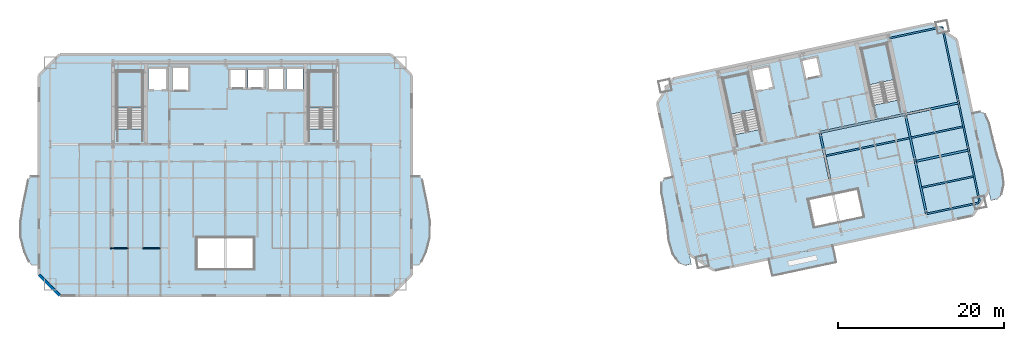
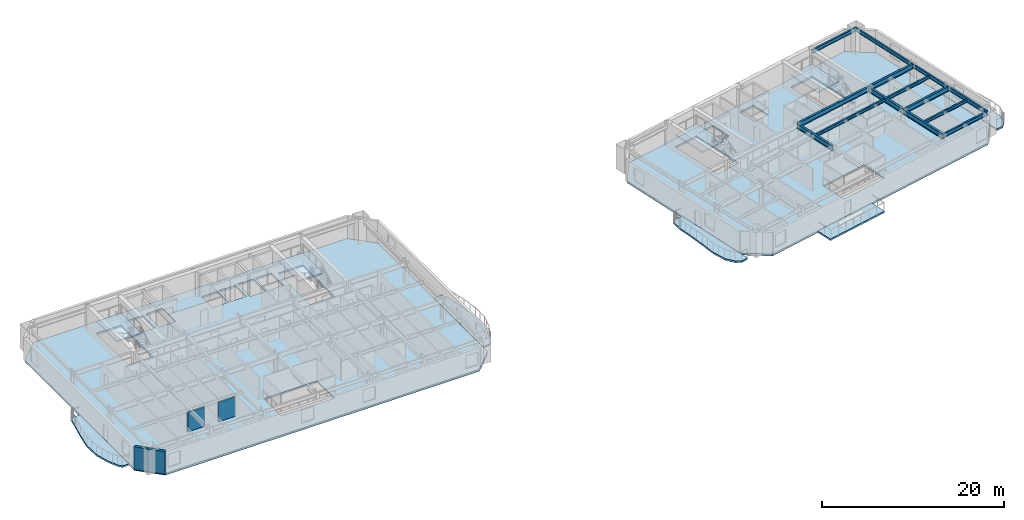
# One storey, part 4 of 14: 14 beams, 11 slabs, 3 walls, 4 elements without a shape of their own.
"""IFC4 building model written with IfcOpenShell, lengths in metres."""

from ifc_helpers import new_model, si_unit, direction, frame, frame_2d, origin, origin_2d, place, context, subcontext, project, spatial, polyline, rectangle, i_section, outline, extrude, material, layer, layer_set, material_profile, profile_set, type_object, element, aggregate, save


model = new_model("IFC4")

# Units and contexts
model_context = context("Model", 3, precision=1e-05, world=origin(), true_north=direction((0.0, 1.0)))
body_context = subcontext(model_context, "Body", "Model", "MODEL_VIEW")
ifc_project = project(units=[si_unit("LENGTHUNIT", "METRE"), si_unit("AREAUNIT", "SQUARE_METRE"), si_unit("VOLUMEUNIT", "CUBIC_METRE"), si_unit("PLANEANGLEUNIT", "RADIAN"), si_unit("MASSUNIT", "GRAM", prefix="KILO")], contexts=[model_context])

# Site, building, storey
site_placement = place(None, origin())
site = spatial("IfcSite", under=ifc_project, at=site_placement, CompositionType="ELEMENT")
building_placement = place(site_placement, origin())
building = spatial("IfcBuilding", under=site, at=building_placement, Name="Haevon Station Towers", CompositionType="ELEMENT")
storey_placement = place(building_placement, frame((0.0, 0.0, 116.39990234375)))
storey = spatial("IfcBuildingStorey", under=building, at=storey_placement, Name="L31", CompositionType="ELEMENT", Elevation=116.39990234375)

# Beams
ifc_material_1 = material(Name="Steel S355", Category="steel")
ifc_material_profile_1 = material_profile(ifc_material_1, i_section(OverallWidth=0.25, OverallDepth=0.64990234375, WebThickness=0.012939453125, FlangeThickness=0.02197265625, at=origin_2d()), Name="H-650x250x13x22")
ifc_profile_set_1 = profile_set([ifc_material_profile_1], Name="Steel S355")
beam_type_1 = type_object("IfcBeamType", Name="BM-G650", PredefinedType="BEAM", material=ifc_profile_set_1)
beam_1_placement = place(storey_placement, frame((120.499267578125, 36.13525390625, 2.72509765625), z_axis=(0.978148524343, 0.207907345532, 0.0), x_axis=(-0.207907345532, 0.978148524343, 0.0)))
element("IfcBeam", 1, at=beam_1_placement, inside=storey, type_object=beam_type_1, Name="BM-T2U-L31-02-04", PredefinedType="BEAM", context=body_context, shape_type="SweptSolid", body=[
    extrude(i_section(OverallWidth=0.25, OverallDepth=0.64990234375, WebThickness=0.012939453125, FlangeThickness=0.02197265625, at=origin_2d()), origin(), (0.0, 0.0, 1.0), 6.550048828125),
])
beam_2_placement = place(storey_placement, frame((109.02294921875, 39.62548828125, 2.72509765625), z_axis=(0.978146794194, 0.207915485254, 0.0), x_axis=(-0.207915485254, 0.978146794194, 0.0)))
element("IfcBeam", 2, at=beam_2_placement, inside=storey, type_object=beam_type_1, Name="BM-T2U-L31-03-03", PredefinedType="BEAM", context=body_context, shape_type="SweptSolid", body=[
    extrude(i_section(OverallWidth=0.25, OverallDepth=0.64990234375, WebThickness=0.012939453125, FlangeThickness=0.02197265625, at=origin_2d()), origin(), (0.0, 0.0, 1.0), 10.5),
])
beam_3_placement = place(storey_placement, frame((119.29345703125, 41.80859375, 2.72509765625), z_axis=(0.978146913123, 0.207914925745, 0.0), x_axis=(-0.207914925745, 0.978146913123, 0.0)))
element("IfcBeam", 3, at=beam_3_placement, inside=storey, type_object=beam_type_1, Name="BM-T2U-L31-03-04", PredefinedType="BEAM", context=body_context, shape_type="SweptSolid", body=[
    extrude(i_section(OverallWidth=0.25, OverallDepth=0.64990234375, WebThickness=0.012939453125, FlangeThickness=0.02197265625, at=origin_2d()), origin(), (0.0, 0.0, 1.0), 6.5498046875),
])
beam_4_placement = place(storey_placement, frame((110.228759765625, 33.9521484375, 2.72509765625), z_axis=(-0.207896009217, 0.97815093383, 0.0), x_axis=(-0.97815093383, -0.207896009217, 0.0)))
element("IfcBeam", 4, at=beam_4_placement, inside=storey, type_object=beam_type_1, Name="BM-T2V-L31-03-02", PredefinedType="BEAM", context=body_context, shape_type="SweptSolid", body=[
    extrude(i_section(OverallWidth=0.25, OverallDepth=0.64990234375, WebThickness=0.012939453125, FlangeThickness=0.02197265625, at=origin_2d()), origin(), (0.0, 0.0, 1.0), 5.800048828125),
])
beam_5_placement = place(storey_placement, frame((121.84033203125, 29.826171875, 2.72509765625), z_axis=(-0.207915795165, 0.978146728319, 0.0), x_axis=(-0.978146728319, -0.207915795165, 0.0)))
element("IfcBeam", 5, at=beam_5_placement, inside=storey, type_object=beam_type_1, Name="BM-T2V-L31-04-01", PredefinedType="BEAM", context=body_context, shape_type="SweptSolid", body=[
    extrude(i_section(OverallWidth=0.25, OverallDepth=0.64990234375, WebThickness=0.012939453125, FlangeThickness=0.02197265625, at=origin_2d()), origin(), (0.0, 0.0, 1.0), 6.449951171875),
])
beam_6_placement = place(storey_placement, frame((120.499267578125, 36.13525390625, 2.72509765625), z_axis=(-0.207896009217, 0.97815093383, 0.0), x_axis=(-0.97815093383, -0.207896009217, 0.0)))
element("IfcBeam", 6, at=beam_6_placement, inside=storey, type_object=beam_type_1, Name="BM-T2V-L31-04-02", PredefinedType="BEAM", context=body_context, shape_type="SweptSolid", body=[
    extrude(i_section(OverallWidth=0.25, OverallDepth=0.64990234375, WebThickness=0.012939453125, FlangeThickness=0.02197265625, at=origin_2d()), origin(), (0.0, 0.0, 1.0), 5.800048828125),
])
ifc_material_profile_2 = material_profile(ifc_material_1, i_section(OverallWidth=0.199951171875, OverallDepth=0.39990234375, WebThickness=0.008056640625, FlangeThickness=0.012939453125, at=origin_2d()), Name="H-400x200x8x13")
ifc_profile_set_2 = profile_set([ifc_material_profile_2], Name="Steel S355")
beam_type_2 = type_object("IfcBeamType", Name="BM-J400", PredefinedType="JOIST", material=ifc_profile_set_2)
beam_7_placement = place(storey_placement, frame((121.27734375, 33.003662109375, 2.85009765625), z_axis=(0.978146498858, 0.207916874669, 0.0), x_axis=(-0.207916874669, 0.978146498858, 0.0)))
element("IfcBeam", 7, at=beam_7_placement, inside=storey, type_object=beam_type_2, Name="BM-T2J-L31-01-04", PredefinedType="JOIST", context=body_context, shape_type="SweptSolid", body=[
    extrude(i_section(OverallWidth=0.199951171875, OverallDepth=0.39990234375, WebThickness=0.008056640625, FlangeThickness=0.012939453125, at=origin_2d()), origin(), (0.0, 0.0, 1.0), 6.330322265625),
])
beam_8_placement = place(storey_placement, frame((109.7333984375, 36.811767578125, 2.85009765625), z_axis=(0.978150339653, 0.207898804801, 0.0), x_axis=(-0.207898804801, 0.978150339653, 0.0)))
element("IfcBeam", 8, at=beam_8_placement, inside=storey, type_object=beam_type_2, Name="BM-T2J-L31-02-03", PredefinedType="JOIST", context=body_context, shape_type="SweptSolid", body=[
    extrude(i_section(OverallWidth=0.199951171875, OverallDepth=0.39990234375, WebThickness=0.008056640625, FlangeThickness=0.012939453125, at=origin_2d()), origin(), (0.0, 0.0, 1.0), 10.280029296875),
])
beam_9_placement = place(storey_placement, frame((120.00390625, 38.994873046875, 2.85009765625), z_axis=(0.978152675037, 0.207887816665, 0.0), x_axis=(-0.207887816665, 0.978152675037, 0.0)))
element("IfcBeam", 9, at=beam_9_placement, inside=storey, type_object=beam_type_2, Name="BM-T2J-L31-02-04", PredefinedType="JOIST", context=body_context, shape_type="SweptSolid", body=[
    extrude(i_section(OverallWidth=0.199951171875, OverallDepth=0.39990234375, WebThickness=0.008056640625, FlangeThickness=0.012939453125, at=origin_2d()), origin(), (0.0, 0.0, 1.0), 6.329833984375),
])
ifc_material_profile_3 = material_profile(ifc_material_1, i_section(OverallWidth=0.199951171875, OverallDepth=0.5, WebThickness=0.010009765625, FlangeThickness=0.01611328125, at=origin_2d()), Name="H-500x200x10x16")
ifc_profile_set_3 = profile_set([ifc_material_profile_3], Name="Steel S355")
beam_type_3 = type_object("IfcBeamType", Name="BM-SP500", PredefinedType="SPANDREL", material=ifc_profile_set_3)
for number, where, z_axis, x_axis, name in (
    (10, (121.84033203125, 29.826171875, 2.800048828125), (0.978148524343, 0.207907345532, 0.0), (-0.207907345532, 0.978148524343, 0.0), "BM-T2U-L31-01-04"),
    (11, (117.349365234375, 50.954345703125, 2.800048828125), (0.978148524343, 0.207907345532, 0.0), (-0.207907345532, 0.978148524343, 0.0), "BM-T2U-L31-04-04"),
):
    element("IfcBeam", number, at=place(storey_placement, frame(where, z_axis=z_axis, x_axis=x_axis)), inside=storey, type_object=beam_type_3, Name=name, PredefinedType="SPANDREL", context=body_context, shape_type="SweptSolid", body=[
        extrude(i_section(OverallWidth=0.199951171875, OverallDepth=0.5, WebThickness=0.010009765625, FlangeThickness=0.01611328125, at=origin_2d()), origin(), (0.0, 0.0, 1.0), 6.550048828125),
    ])
beam_10_placement = place(storey_placement, frame((128.247314453125, 31.18798828125, 2.800048828125), z_axis=(-0.207915795165, 0.978146728319, 0.0), x_axis=(-0.978146728319, -0.207915795165, 0.0)))
element("IfcBeam", 12, at=beam_10_placement, inside=storey, type_object=beam_type_3, Name="BM-T2V-L31-05-01", PredefinedType="SPANDREL", context=body_context, shape_type="SweptSolid", body=[
    extrude(i_section(OverallWidth=0.199951171875, OverallDepth=0.5, WebThickness=0.010009765625, FlangeThickness=0.01611328125, at=origin_2d()), origin(), (0.0, 0.0, 1.0), 6.449951171875),
])
beam_11_placement = place(storey_placement, frame((126.90625, 37.4970703125, 2.800048828125), z_axis=(-0.207936282142, 0.978142373363, 0.0), x_axis=(-0.978142373363, -0.207936282142, 0.0)))
element("IfcBeam", 13, at=beam_11_placement, inside=storey, type_object=beam_type_3, Name="BM-T2V-L31-05-02", PredefinedType="SPANDREL", context=body_context, shape_type="SweptSolid", body=[
    extrude(i_section(OverallWidth=0.199951171875, OverallDepth=0.5, WebThickness=0.010009765625, FlangeThickness=0.01611328125, at=origin_2d()), origin(), (0.0, 0.0, 1.0), 5.800048828125),
])
beam_12_placement = place(storey_placement, frame((125.7001953125, 43.17041015625, 2.800048828125), z_axis=(-0.207897167074, 0.978150687738, 0.0), x_axis=(-0.978150687738, -0.207897167074, 0.0)))
element("IfcBeam", 14, at=beam_12_placement, inside=storey, type_object=beam_type_3, Name="BM-T2V-L31-05-03", PredefinedType="SPANDREL", context=body_context, shape_type="SweptSolid", body=[
    extrude(i_section(OverallWidth=0.199951171875, OverallDepth=0.5, WebThickness=0.010009765625, FlangeThickness=0.01611328125, at=origin_2d()), origin(), (0.0, 0.0, 1.0), 9.35009765625),
])

# Slabs
ifc_material_2 = material(Name="Concrete C40/50", Category="concrete")
ifc_layer_1 = layer(ifc_material_2, 0.219970703125)
ifc_layer_set_1 = layer_set([ifc_layer_1], Name="Concrete C40/50")
slab_type_1 = type_object("IfcSlabType", Name="SL-BALC220", PredefinedType="FLOOR", material=ifc_layer_set_1)
slab_1_placement = place(storey_placement, frame((0.0, 0.0, -0.219970703125)))
element("IfcSlab", 15, at=slab_1_placement, inside=storey, type_object=slab_type_1, Name="Tower 1 L31 West SCALLOPED BALCONY", PredefinedType="FLOOR", context=body_context, shape_type="SweptSolid", body=[
    extrude(outline(polyline([(15.094970703125, 34.39990234375), (14.1376953125, 34.39990234375), (13.809326171875, 33.989013671875), (13.5625, 32.818359375), (13.180419921875, 31.06640625), (12.815673828125, 29.0), (12.863525390625, 26.93359375), (13.351806640625, 25.181640625), (13.8974609375, 24.010986328125), (14.2451171875, 23.60009765625), (15.094970703125, 23.60009765625), (15.094970703125, 34.39990234375)])), origin(), (0.0, 0.0, 1.0), 0.219970703125),
])
slab_2_placement = place(storey_placement, frame((0.0, 0.0, -0.219970703125)))
element("IfcSlab", 16, at=slab_2_placement, inside=storey, type_object=slab_type_1, Name="Tower 1 L31 East SCALLOPED BALCONY", PredefinedType="FLOOR", context=body_context, shape_type="SweptSolid", body=[
    extrude(outline(polyline([(59.905029296875, 23.60009765625), (60.7548828125, 23.60009765625), (61.1025390625, 24.010986328125), (61.648193359375, 25.181640625), (62.136474609375, 26.93359375), (62.184326171875, 29.0), (61.819580078125, 31.06640625), (61.4375, 32.818359375), (61.190673828125, 33.989013671875), (60.8623046875, 34.39990234375), (59.905029296875, 34.39990234375), (59.905029296875, 23.60009765625)])), origin(), (0.0, 0.0, 1.0), 0.219970703125),
])
slab_3_placement = place(storey_placement, frame((0.0, 0.0, -0.219970703125)))
element("IfcSlab", 17, at=slab_3_placement, inside=storey, type_object=slab_type_1, Name="Tower 2 L31 West SCALLOPED BALCONY", PredefinedType="FLOOR", context=body_context, shape_type="SweptSolid", body=[
    extrude(outline(polyline([(91.33203125, 34.33154296875), (90.3955078125, 34.132568359375), (89.95166015625, 33.617919921875), (89.95556640625, 32.422119140625), (90.28076171875, 30.7001953125), (90.576171875, 28.650390625), (90.830078125, 26.591796875), (91.33740234375, 24.908447265625), (92.1123046875, 23.87646484375), (92.74609375, 23.5908203125), (93.577392578125, 23.767578125), (91.33203125, 34.33154296875)])), origin(), (0.0, 0.0, 1.0), 0.219970703125),
])
slab_4_placement = place(storey_placement, frame((0.0, 0.0, -0.219970703125)))
element("IfcSlab", 18, at=slab_4_placement, inside=storey, type_object=slab_type_1, Name="Tower 2 L31 East SCALLOPED BALCONY", PredefinedType="FLOOR", context=body_context, shape_type="SweptSolid", body=[
    extrude(outline(polyline([(129.5830078125, 31.4208984375), (130.41455078125, 31.59765625), (130.877197265625, 32.1162109375), (131.165283203125, 33.374267578125), (130.944091796875, 35.1181640625), (130.3388671875, 37.102294921875), (129.77490234375, 39.094970703125), (129.37158203125, 40.80029296875), (128.888916015625, 41.894287109375), (128.27392578125, 42.183837890625), (127.337646484375, 41.98486328125), (129.5830078125, 31.4208984375)])), origin(), (0.0, 0.0, 1.0), 0.219970703125),
])
slab_5_placement = place(storey_placement, frame((0.0, 0.0, -0.219970703125)))
element("IfcSlab", 19, at=slab_5_placement, inside=storey, type_object=slab_type_1, Name="Tower 2 L31 Planted Balcony Band", PredefinedType="FLOOR", context=body_context, shape_type="SweptSolid", body=[
    extrude(outline(polyline([(103.2392578125, 22.345458984375), (111.064453125, 24.0087890625), (110.62890625, 26.057861328125), (102.8037109375, 24.39453125), (103.2392578125, 22.345458984375)])), origin(), (0.0, 0.0, 1.0), 0.219970703125),
])

# Stair, slab
stair_type = type_object("IfcStairType", Name="STR-DL1450", PredefinedType="USERDEFINED", material=ifc_material_2)
stair_1_placement = place(storey_placement, origin())
stair_1 = element("IfcStair", 20, at=stair_1_placement, inside=storey, type_object=stair_type, Name="L31 Escape Stair ST1", ObjectType="TWO_RETURN_STAIR", PredefinedType="USERDEFINED")
ifc_layer_2 = layer(ifc_material_2, 0.199951171875)
ifc_layer_set_2 = layer_set([ifc_layer_2], Name="Concrete C40/50")
slab_type_2 = type_object("IfcSlabType", Name="SL-LND200", PredefinedType="LANDING", material=ifc_layer_set_2)
slab_6_placement = place(storey_placement, frame((0.0, 0.0, 1.4501953125)))
slab_6 = element("IfcSlab", 21, at=slab_6_placement, type_object=slab_type_2, Name="L31 ST1 Half Landing 1", PredefinedType="LANDING", context=body_context, shape_type="SweptSolid", body=[
    extrude(outline(polyline([(27.580078125, 42.56396484375), (27.580078125, 47.0), (24.47998046875, 47.0), (24.47998046875, 42.56396484375), (27.580078125, 42.56396484375)])), origin(), (0.0, 0.0, 1.0), 0.199951171875),
])
aggregate(stair_1, [slab_6])

stair_2_placement = place(storey_placement, origin())
stair_2 = element("IfcStair", 22, at=stair_2_placement, inside=storey, type_object=stair_type, Name="L31 Escape Stair ST2", ObjectType="TWO_RETURN_STAIR", PredefinedType="USERDEFINED")
slab_7_placement = place(storey_placement, frame((0.0, 0.0, 1.4501953125)))
slab_7 = element("IfcSlab", 23, at=slab_7_placement, type_object=slab_type_2, Name="L31 ST2 Half Landing 1", PredefinedType="LANDING", context=body_context, shape_type="SweptSolid", body=[
    extrude(outline(polyline([(50.6201171875, 42.56396484375), (50.6201171875, 47.0), (47.52001953125, 47.0), (47.52001953125, 42.56396484375), (50.6201171875, 42.56396484375)])), origin(), (0.0, 0.0, 1.0), 0.199951171875),
])
aggregate(stair_2, [slab_7])

stair_3_placement = place(storey_placement, origin())
stair_3 = element("IfcStair", 24, at=stair_3_placement, inside=storey, type_object=stair_type, Name="L31 Escape Stair ST3", ObjectType="TWO_RETURN_STAIR", PredefinedType="USERDEFINED")
slab_8_placement = place(storey_placement, frame((0.0, 0.0, 1.4501953125)))
slab_8 = element("IfcSlab", 25, at=slab_8_placement, type_object=slab_type_2, Name="L31 ST3 Half Landing 1", PredefinedType="LANDING", context=body_context, shape_type="SweptSolid", body=[
    extrude(outline(polyline([(101.2880859375, 42.44287109375), (100.36572265625, 46.781982421875), (97.33349609375, 46.137451171875), (98.255859375, 41.79833984375), (101.2880859375, 42.44287109375)])), origin(), (0.0, 0.0, 1.0), 0.199951171875),
])
aggregate(stair_3, [slab_8])

stair_4_placement = place(storey_placement, origin())
stair_4 = element("IfcStair", 26, at=stair_4_placement, inside=storey, type_object=stair_type, Name="L31 Escape Stair ST4", ObjectType="TWO_RETURN_STAIR", PredefinedType="USERDEFINED")
slab_9_placement = place(storey_placement, frame((0.0, 0.0, 1.4501953125)))
slab_9 = element("IfcSlab", 27, at=slab_9_placement, type_object=slab_type_2, Name="L31 ST4 Half Landing 1", PredefinedType="LANDING", context=body_context, shape_type="SweptSolid", body=[
    extrude(outline(polyline([(117.975341796875, 45.989990234375), (117.052978515625, 50.328857421875), (114.020751953125, 49.684326171875), (114.943115234375, 45.345458984375), (117.975341796875, 45.989990234375)])), origin(), (0.0, 0.0, 1.0), 0.199951171875),
])
aggregate(stair_4, [slab_9])

# Slabs
ifc_layer_3 = layer(ifc_material_2, 0.25)
ifc_layer_set_3 = layer_set([ifc_layer_3], Name="Concrete C40/50")
slab_type_3 = type_object("IfcSlabType", Name="SL-TW250", PredefinedType="FLOOR", material=ifc_layer_set_3)
slab_10_placement = place(storey_placement, frame((0.0, 0.0, -0.25)))
element("IfcSlab", 28, at=slab_10_placement, inside=storey, type_object=slab_type_3, Name="SL-T1-L31", PredefinedType="FLOOR", context=body_context, shape_type="SweptSolid", body=[
    extrude(outline(polyline([(17.60009765625, 20.0), (57.39990234375, 20.0), (59.89990234375, 22.5), (59.89990234375, 46.5), (57.39990234375, 49.0), (17.60009765625, 49.0), (15.10009765625, 46.5), (15.10009765625, 22.5), (17.60009765625, 20.0)]), holes=[polyline([(27.580078125, 40.055908203125), (27.580078125, 47.0), (24.47998046875, 47.0), (24.47998046875, 40.055908203125), (27.580078125, 40.055908203125)]), polyline([(50.6201171875, 40.055908203125), (50.6201171875, 47.0), (47.52001953125, 47.0), (47.52001953125, 40.055908203125), (50.6201171875, 40.055908203125)]), polyline([(28.300048828125, 44.699951171875), (30.5, 44.699951171875), (30.5, 47.39990234375), (28.300048828125, 47.39990234375), (28.300048828125, 44.699951171875)]), polyline([(31.050048828125, 44.60009765625), (33.14990234375, 44.60009765625), (33.14990234375, 47.5), (31.050048828125, 47.5), (31.050048828125, 44.60009765625)]), polyline([(38.0, 44.89990234375), (40.0, 44.89990234375), (40.0, 47.300048828125), (38.0, 47.300048828125), (38.0, 44.89990234375)]), polyline([(40.25, 44.89990234375), (42.25, 44.89990234375), (42.25, 47.300048828125), (40.25, 47.300048828125), (40.25, 44.89990234375)]), polyline([(42.60009765625, 44.699951171875), (44.60009765625, 44.699951171875), (44.60009765625, 47.39990234375), (42.60009765625, 47.39990234375), (42.60009765625, 44.699951171875)]), polyline([(44.85009765625, 44.699951171875), (46.85009765625, 44.699951171875), (46.85009765625, 47.39990234375), (44.85009765625, 47.39990234375), (44.85009765625, 44.699951171875)]), polyline([(34.10009765625, 23.199951171875), (40.89990234375, 23.199951171875), (40.89990234375, 27.0), (34.10009765625, 27.0), (34.10009765625, 23.199951171875)])]), origin(), (0.0, 0.0, 1.0), 0.25),
])
slab_11_placement = place(storey_placement, frame((0.0, 0.0, -0.25)))
element("IfcSlab", 29, at=slab_11_placement, inside=storey, type_object=slab_type_3, Name="SL-T2-L31", PredefinedType="FLOOR", context=body_context, shape_type="SweptSolid", body=[
    extrude(outline(polyline([(96.2978515625, 23.016845703125), (127.403076171875, 29.62841796875), (129.32861328125, 32.593505859375), (125.46142578125, 50.787109375), (122.496337890625, 52.712646484375), (91.391357421875, 46.10107421875), (89.465576171875, 43.135986328125), (93.332763671875, 24.9423828125), (96.2978515625, 23.016845703125)]), holes=[polyline([(101.8095703125, 39.98974609375), (100.36572265625, 46.781982421875), (97.33349609375, 46.137451171875), (98.77734375, 39.34521484375), (101.8095703125, 39.98974609375)]), polyline([(118.496826171875, 43.53662109375), (117.052978515625, 50.328857421875), (114.020751953125, 49.684326171875), (115.464599609375, 42.89208984375), (118.496826171875, 43.53662109375)]), polyline([(101.43212890625, 44.554931640625), (103.486328125, 44.99169921875), (102.9248046875, 47.632568359375), (100.870849609375, 47.196044921875), (101.43212890625, 44.554931640625)]), polyline([(107.259521484375, 45.998046875), (109.2158203125, 46.413818359375), (108.716796875, 48.761474609375), (106.760498046875, 48.345703125), (107.259521484375, 45.998046875)]), polyline([(108.37548828125, 28.2421875), (114.244384765625, 29.489501953125), (113.537353515625, 32.815185546875), (107.668701171875, 31.56787109375), (108.37548828125, 28.2421875)])]), origin(), (0.0, 0.0, 1.0), 0.25),
])

# Walls
ifc_material_3 = material(Name="Precast concrete C45/55", Category="concrete")
ifc_layer_4 = layer(ifc_material_3, 0.320068359375)
ifc_layer_set_4 = layer_set([ifc_layer_4], Name="Precast concrete C45/55")
wall_type_1 = type_object("IfcWallType", Name="WL-EXT-PIER320", PredefinedType="SOLIDWALL", material=ifc_layer_set_4)
wall_placement = place(storey_placement, frame((17.60009765625, 20.0, 0.0), z_axis=(0.0, 0.0, 1.0), x_axis=(-0.707106781187, 0.707106781187, 0.0)))
element("IfcWall", 30, at=wall_placement, inside=storey, type_object=wall_type_1, Name="WL-T1-L31-SWC", PredefinedType="SOLIDWALL", context=body_context, shape_type="SweptSolid", body=[
    extrude(rectangle(XDim=3.53564453125, YDim=0.320068359375, at=frame_2d((1.767822265625, 0.0))), origin(), (0.0, 0.0, 1.0), 3.030029296875),
])
ifc_material_4 = material(Name="Gypsum board on steel stud", Category="steel")
ifc_layer_5 = layer(ifc_material_4, 0.125)
ifc_layer_set_5 = layer_set([ifc_layer_5], Name="Gypsum board on steel stud")
wall_type_2 = type_object("IfcWallType", Name="WL-PRT125", PredefinedType="PARTITIONING", material=ifc_layer_set_5)
for number, where, z_axis, x_axis, name in (
    (31, (23.699951171875, 25.697021484375, 0.0), (0.0, 0.0, 1.0), (1.0, 0.0, 0.0), "WL-T1PT-L31-11"),
    (32, (27.594970703125, 25.697021484375, 0.0), (0.0, 0.0, 1.0), (1.0, 0.0, 0.0), "WL-T1PT-L31-14"),
):
    element("IfcWall", number, at=place(storey_placement, frame(where, z_axis=z_axis, x_axis=x_axis)), inside=storey, type_object=wall_type_2, Name=name, PredefinedType="PARTITIONING", context=body_context, shape_type="SweptSolid", body=[
        extrude(rectangle(XDim=2.114990234375, YDim=0.125, at=frame_2d((1.0576171875, 0.0))), origin(), (0.0, 0.0, 1.0), 2.630126953125),
    ])

save(model, "model.ifc")
